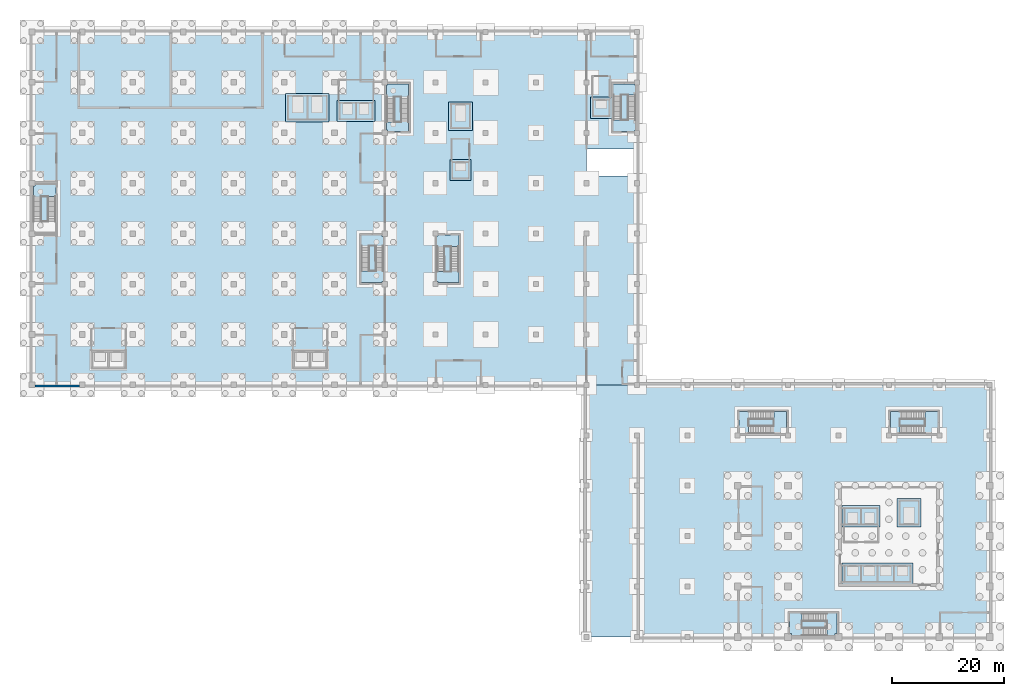
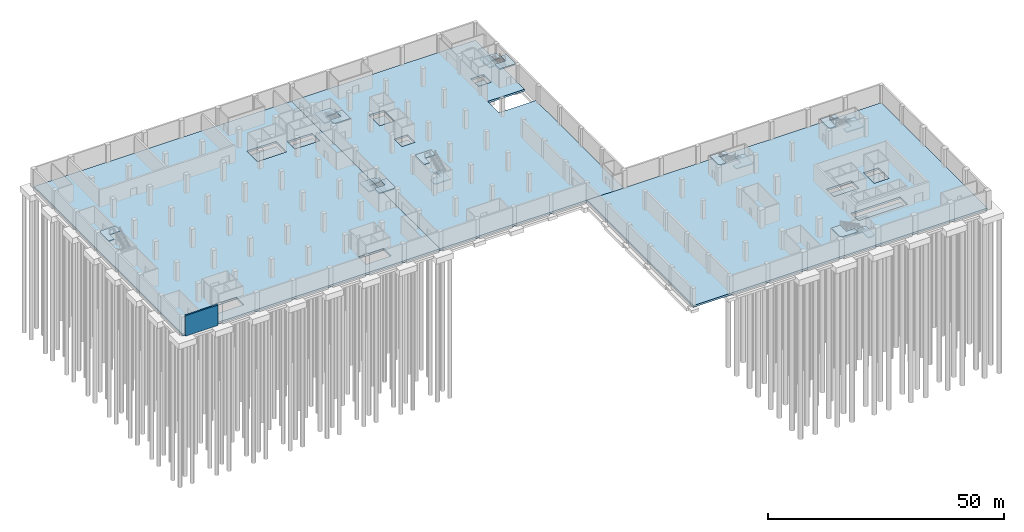
# One storey, part 5 of 17: 26 slabs, 1 wall, 8 elements without a shape of their own.
"""IFC4 building model written with IfcOpenShell, lengths in metres."""

import ifcopenshell
import ifcopenshell.guid

model = None  # the IFC model being written
_history = None  # IfcOwnerHistory: only IFC2X3 demands one
_inside = {}  # id of a spatial element -> (the spatial element, [elements in it])
_under = {}  # id of a project, library or spatial element -> (it, [spatial elements below it])
_declared = {}  # id of a project -> (the project, [libraries it declares])
_typed = {}  # id of a type object -> (the type object, [elements of that type])
_made_of = {}  # id of a material, layer set ... -> (it, [elements and type objects made of it])


def new_model(schema):
    """Start an empty IFC model of exactly this schema.

    Asked for "IFC4X3", IfcOpenShell would pick the latest addendum, in which some entities
    have other attributes; the version numbers below select the first issue.
    IFC2X3 requires an IfcOwnerHistory on every rooted entity: one is made here for all.
    """
    global model, _history
    if schema == "IFC4X3":
        model = ifcopenshell.file(schema_version=(4, 3, 0, 0))
    else:
        model = ifcopenshell.file(schema=schema)
    _inside.clear()
    _under.clear()
    _declared.clear()
    _typed.clear()
    _made_of.clear()
    _history = None
    if model.schema == "IFC2X3":
        org = make("IfcOrganization", Name="unknown")
        user = make(
            "IfcPersonAndOrganization",
            ThePerson=make("IfcPerson", FamilyName="unknown"),
            TheOrganization=org,
        )
        app = make(
            "IfcApplication",
            ApplicationDeveloper=org,
            Version="unknown",
            ApplicationFullName="unknown",
            ApplicationIdentifier="unknown",
        )
        _history = make(
            "IfcOwnerHistory",
            OwningUser=user,
            OwningApplication=app,
            ChangeAction="ADDED",
            CreationDate=0,
        )
    return model


def make(cls, **values):
    """One entity of the class cls with the attributes given. An attribute that is None is left unset."""
    return model.create_entity(
        cls, **{name: value for name, value in values.items() if value is not None}
    )


def rooted(cls, **values):
    """An entity with a GlobalId (a new one), such as an element, a storey or a relation."""
    return make(cls, GlobalId=ifcopenshell.guid.new(), OwnerHistory=_history, **values)


def si_unit(unit_type, name, prefix=None):
    """IfcSIUnit, for example si_unit("LENGTHUNIT", "METRE", prefix="MILLI")."""
    return make("IfcSIUnit", UnitType=unit_type, Prefix=prefix, Name=name)


def assignment(units):
    """IfcUnitAssignment: the units of a project."""
    return None if units is None else make("IfcUnitAssignment", Units=units)


def point(xyz):
    """IfcCartesianPoint."""
    return None if xyz is None else make("IfcCartesianPoint", Coordinates=xyz)


def direction(xyz):
    """IfcDirection."""
    return None if xyz is None else make("IfcDirection", DirectionRatios=xyz)


def frame(location, z_axis=None, x_axis=None):
    """IfcAxis2Placement3D, a coordinate frame: its origin and axes. An axis left out is left unset."""
    return make(
        "IfcAxis2Placement3D",
        Location=point(location),
        Axis=direction(z_axis),
        RefDirection=direction(x_axis),
    )


def frame_2d(location, x_axis=None):
    """IfcAxis2Placement2D, a coordinate frame in the plane: its origin and x axis."""
    return make(
        "IfcAxis2Placement2D", Location=point(location), RefDirection=direction(x_axis)
    )


def origin():
    """The frame at (0, 0, 0) with its axes left unset."""
    return frame((0.0, 0.0, 0.0))


def place(relative_to, where):
    """IfcLocalPlacement: puts the frame where relative to a parent placement (None: the world)."""
    return make(
        "IfcLocalPlacement", PlacementRelTo=relative_to, RelativePlacement=where
    )


def context(
    kind, dimensions, precision=None, world=None, true_north=None, identifier=None
):
    """IfcGeometricRepresentationContext, for example the 3D "Model" context."""
    return make(
        "IfcGeometricRepresentationContext",
        ContextIdentifier=identifier,
        ContextType=kind,
        CoordinateSpaceDimension=dimensions,
        Precision=precision,
        WorldCoordinateSystem=world,
        TrueNorth=true_north,
    )


def subcontext(parent, identifier, kind, view, scale=None):
    """IfcGeometricRepresentationSubContext, for example "Body" below "Model"."""
    return make(
        "IfcGeometricRepresentationSubContext",
        ContextIdentifier=identifier,
        ContextType=kind,
        ParentContext=parent,
        TargetScale=scale,
        TargetView=view,
    )


def project(units=None, contexts=None):
    """IfcProject with its units and contexts."""
    return rooted(
        "IfcProject",
        Name="project",
        RepresentationContexts=contexts,
        UnitsInContext=assignment(units),
    )


def spatial(cls, under=None, at=None, **own):
    """A site, building, storey or space (cls), placed at a placement, below another one or the project."""
    s = rooted(cls, ObjectPlacement=at, **own)
    if under is not None:
        _under.setdefault(under.id(), (under, []))[1].append(s)
    return s


def polyline(points):
    """IfcPolyline through the points."""
    return make("IfcPolyline", Points=[point(p) for p in points])


def profile(cls, at=None, kind="AREA", **sizes):
    """A parametric profile (cls). Its sizes go by their IFC names, for example OverallWidth=200.0."""
    return make(cls, ProfileType=kind, Position=at, **sizes)


def rectangle(**sizes):
    """IfcRectangleProfileDef."""
    return profile("IfcRectangleProfileDef", **sizes)


def outline(outer, holes=None, kind="AREA"):
    """IfcArbitraryClosedProfileDef: a profile drawn as a closed curve; with holes, ...WithVoids."""
    if holes is None:
        return make("IfcArbitraryClosedProfileDef", ProfileType=kind, OuterCurve=outer)
    return make(
        "IfcArbitraryProfileDefWithVoids",
        ProfileType=kind,
        OuterCurve=outer,
        InnerCurves=holes,
    )


def extrude(swept, where, along, depth):
    """IfcExtrudedAreaSolid: the profile swept, set in the frame where, extruded along a direction by depth."""
    return make(
        "IfcExtrudedAreaSolid",
        SweptArea=swept,
        Position=where,
        ExtrudedDirection=direction(along),
        Depth=depth,
    )


def shape(context_of_items, identifier, shape_type, items):
    """IfcShapeRepresentation: the items that make up one representation, for example the "Body"."""
    return make(
        "IfcShapeRepresentation",
        ContextOfItems=context_of_items,
        RepresentationIdentifier=identifier,
        RepresentationType=shape_type,
        Items=items,
    )


def material(Name=None, Category=None):
    """IfcMaterial."""
    return make("IfcMaterial", Name=Name, Category=Category)


def layer(
    of_material, thickness, ventilated=None, Name=None, Category=None, Priority=None
):
    """IfcMaterialLayer: one layer of a wall or slab, of a material (None: an air gap)."""
    return make(
        "IfcMaterialLayer",
        Material=of_material,
        LayerThickness=thickness,
        IsVentilated=ventilated,
        Name=Name,
        Category=Category,
        Priority=Priority,
    )


def layer_set(layers, Name=None):
    """IfcMaterialLayerSet."""
    return make("IfcMaterialLayerSet", MaterialLayers=layers, LayerSetName=Name)


def made_of(thing, what):
    """Note that an element or type object is made of a material, layer set ...; save() writes the relation."""
    if what is not None:
        _made_of.setdefault(what.id(), (what, []))[1].append(thing)
    return thing


def type_object(cls, material=None, **own):
    """A type object (cls), such as IfcWallType, which elements share."""
    return made_of(rooted(cls, **own), material)


def element(
    cls,
    number,
    at=None,
    inside=None,
    cuts=None,
    type_object=None,
    material=None,
    context=None,
    identifier="Body",
    shape_type=None,
    held_by="IfcProductDefinitionShape",
    body=None,
    shapes=None,
    **own,
):
    """One element of the class cls, such as IfcWall. Its Tag is "e" and its number.

    at: its placement. inside: the storey or other place that contains it. cuts: it is an
    opening in that element (IfcRelVoidsElement). A single representation is given by context,
    identifier, shape_type and body (its items); several are given by shapes. held_by: the class
    of the entity that holds the representations. save() writes the other relations.
    """
    e = rooted(cls, Tag="e%d" % number, ObjectPlacement=at, **own)
    if body is not None:
        shapes = [shape(context, identifier, shape_type, body)]
    if shapes is not None:
        e.Representation = make(held_by, Representations=shapes)
    if inside is not None:
        _inside.setdefault(inside.id(), (inside, []))[1].append(e)
    if cuts is not None:
        rooted(
            "IfcRelVoidsElement", RelatingBuildingElement=cuts, RelatedOpeningElement=e
        )
    if type_object is not None:
        _typed.setdefault(type_object.id(), (type_object, []))[1].append(e)
    return made_of(e, material)


def aggregate(whole, parts):
    """IfcRelAggregates: a whole, such as a stair, and the parts it consists of."""
    return rooted("IfcRelAggregates", RelatingObject=whole, RelatedObjects=parts)


def save(model, path):
    """Write the relations noted so far, then the file.

    IfcRelAggregates (storeys below a building ...), IfcRelContainedInSpatialStructure (elements
    in a storey), IfcRelDefinesByType, IfcRelAssociatesMaterial and IfcRelDeclares: one each for
    every whole, place, type object, material and project.
    """
    for whole, parts in _under.values():
        aggregate(whole, parts)
    for where, things in _inside.values():
        rooted(
            "IfcRelContainedInSpatialStructure",
            RelatedElements=things,
            RelatingStructure=where,
        )
    for kind, things in _typed.values():
        rooted("IfcRelDefinesByType", RelatedObjects=things, RelatingType=kind)
    for what, things in _made_of.values():
        rooted("IfcRelAssociatesMaterial", RelatedObjects=things, RelatingMaterial=what)
    for by, libraries in _declared.values():
        rooted("IfcRelDeclares", RelatingContext=by, RelatedDefinitions=libraries)
    model.write(path)


model = new_model("IFC4")

# Units and contexts
model_context = context("Model", 3, precision=1e-05, world=origin(), true_north=direction((0.0, 1.0)))
body_context = subcontext(model_context, "Body", "Model", "MODEL_VIEW")
ifc_project = project(units=[si_unit("LENGTHUNIT", "METRE"), si_unit("AREAUNIT", "SQUARE_METRE"), si_unit("VOLUMEUNIT", "CUBIC_METRE"), si_unit("PLANEANGLEUNIT", "RADIAN"), si_unit("MASSUNIT", "GRAM", prefix="KILO")], contexts=[model_context])

# Site, building, storey
site_placement = place(None, origin())
site = spatial("IfcSite", under=ifc_project, at=site_placement, CompositionType="ELEMENT")
building_placement = place(site_placement, origin())
building = spatial("IfcBuilding", under=site, at=building_placement, Name="Guidao Yard Department Store", CompositionType="ELEMENT")
storey_placement = place(building_placement, frame((0.0, 0.0, -9.89990234375)))
storey = spatial("IfcBuildingStorey", under=building, at=storey_placement, Name="B2", CompositionType="ELEMENT", Elevation=-9.89990234375)

# Slabs
ifc_material_1 = material(Name="Concrete C35", Category="concrete")
ifc_layer_1 = layer(ifc_material_1, 0.5)
ifc_layer_set_1 = layer_set([ifc_layer_1], Name="Base slab 500 C35")
slab_type_1 = type_object("IfcSlabType", Name="Base slab 500 C35", PredefinedType="BASESLAB", material=ifc_layer_set_1)
slab_1_placement = place(storey_placement, frame((0.0, 0.0, -0.5)))
element("IfcSlab", 1, at=slab_1_placement, inside=storey, type_object=slab_type_1, Name="Slab B2-H", PredefinedType="BASESLAB", context=body_context, shape_type="SweptSolid", body=[
    extrude(outline(polyline([(0.0, 108.0), (63.0, 108.0), (63.0, 45.0), (0.0, 45.0), (0.0, 108.0)]), holes=[polyline([(13.75, 47.89990234375), (16.699951171875, 47.89990234375), (16.699951171875, 51.10009765625), (13.75, 51.10009765625), (13.5, 51.10009765625), (10.550048828125, 51.10009765625), (10.550048828125, 47.89990234375), (13.5, 47.89990234375), (13.75, 47.89990234375)]), polyline([(49.75, 47.89990234375), (52.699951171875, 47.89990234375), (52.699951171875, 51.10009765625), (49.75, 51.10009765625), (49.5, 51.10009765625), (46.550048828125, 51.10009765625), (46.550048828125, 47.89990234375), (49.5, 47.89990234375), (49.75, 47.89990234375)]), polyline([(57.949951171875, 95.5), (57.699951171875, 95.5), (54.75, 95.5), (54.75, 92.300048828125), (57.699951171875, 92.300048828125), (57.949951171875, 92.300048828125), (60.89990234375, 92.300048828125), (60.89990234375, 95.5), (57.949951171875, 95.5)]), polyline([(49.050048828125, 92.25), (49.300048828125, 92.25), (52.75, 92.25), (52.75, 96.75), (49.300048828125, 96.75), (49.050048828125, 96.75), (45.60009765625, 96.75), (45.60009765625, 92.25), (49.050048828125, 92.25)])]), origin(), (0.0, 0.0, 1.0), 0.5),
])
slab_2_placement = place(storey_placement, frame((0.0, 0.0, -0.5)))
element("IfcSlab", 2, at=slab_2_placement, inside=storey, type_object=slab_type_1, Name="Slab B2-A", PredefinedType="BASESLAB", context=body_context, shape_type="SweptSolid", body=[
    extrude(outline(polyline([(108.0, 108.0), (108.0, 87.10009765625), (99.0, 87.10009765625), (99.0, 82.300048828125), (108.0, 82.300048828125), (108.0, 45.0), (63.0, 45.0), (63.0, 108.0), (108.0, 108.0)]), holes=[polyline([(74.89990234375, 84.949951171875), (74.89990234375, 81.75), (78.10009765625, 81.75), (78.10009765625, 84.949951171875), (74.89990234375, 84.949951171875)]), polyline([(78.35009765625, 90.75), (78.35009765625, 95.25), (74.64990234375, 95.25), (74.64990234375, 90.75), (78.35009765625, 90.75)]), polyline([(103.25, 92.89990234375), (103.25, 96.10009765625), (100.050048828125, 96.10009765625), (100.050048828125, 92.89990234375), (103.25, 92.89990234375)])]), origin(), (0.0, 0.0, 1.0), 0.5),
])
slab_3_placement = place(storey_placement, frame((0.0, 0.0, -0.5)))
element("IfcSlab", 3, at=slab_3_placement, inside=storey, type_object=slab_type_1, Name="Slab B2-T", PredefinedType="BASESLAB", context=body_context, shape_type="SweptSolid", body=[
    extrude(outline(polyline([(99.0, 45.0), (171.0, 45.0), (171.0, 0.0), (99.0, 0.0), (99.0, 45.0)]), holes=[polyline([(151.10009765625, 12.85009765625), (150.85009765625, 12.85009765625), (148.14990234375, 12.85009765625), (147.89990234375, 12.85009765625), (144.949951171875, 12.85009765625), (144.949951171875, 9.64990234375), (147.89990234375, 9.64990234375), (148.14990234375, 9.64990234375), (150.85009765625, 9.64990234375), (151.10009765625, 9.64990234375), (153.800048828125, 9.64990234375), (154.050048828125, 9.64990234375), (157.0, 9.64990234375), (157.0, 12.85009765625), (154.050048828125, 12.85009765625), (153.800048828125, 12.85009765625), (151.10009765625, 12.85009765625)]), polyline([(148.14990234375, 19.949951171875), (151.10009765625, 19.949951171875), (151.10009765625, 23.14990234375), (148.14990234375, 23.14990234375), (147.89990234375, 23.14990234375), (144.949951171875, 23.14990234375), (144.949951171875, 19.949951171875), (147.89990234375, 19.949951171875), (148.14990234375, 19.949951171875)]), polyline([(158.449951171875, 19.949951171875), (158.449951171875, 24.449951171875), (154.75, 24.449951171875), (154.75, 19.949951171875), (158.449951171875, 19.949951171875)])]), origin(), (0.0, 0.0, 1.0), 0.5),
])
ifc_material_2 = material(Name="Concrete C35", Category="concrete")
ifc_layer_2 = layer(ifc_material_2, 0.39990234375)
ifc_layer_set_2 = layer_set([ifc_layer_2], Name="Pit slab 400 C35")
slab_type_2 = type_object("IfcSlabType", Name="Pit slab 400 C35", PredefinedType="BASESLAB", material=ifc_layer_set_2)
slab_4_placement = place(storey_placement, frame((0.0, 0.0, -2.0)))
element("IfcSlab", 4, at=slab_4_placement, inside=storey, type_object=slab_type_2, Name="Pit slab HG1", PredefinedType="BASESLAB", context=body_context, shape_type="SweptSolid", body=[
    extrude(outline(polyline([(49.60009765625, 97.050048828125), (53.050048828125, 97.050048828125), (53.050048828125, 91.949951171875), (49.60009765625, 91.949951171875), (48.75, 91.949951171875), (45.300048828125, 91.949951171875), (45.300048828125, 97.050048828125), (48.75, 97.050048828125), (49.60009765625, 97.050048828125)])), origin(), (0.0, 0.0, 1.0), 0.39990234375),
])
slab_5_placement = place(storey_placement, frame((0.0, 0.0, -2.0)))
element("IfcSlab", 5, at=slab_5_placement, inside=storey, type_object=slab_type_2, Name="Pit slab HF1", PredefinedType="BASESLAB", context=body_context, shape_type="SweptSolid", body=[
    extrude(outline(polyline([(58.25, 95.800048828125), (61.199951171875, 95.800048828125), (61.199951171875, 92.0), (58.25, 92.0), (57.39990234375, 92.0), (54.449951171875, 92.0), (54.449951171875, 95.800048828125), (57.39990234375, 95.800048828125), (58.25, 95.800048828125)])), origin(), (0.0, 0.0, 1.0), 0.39990234375),
])
slab_6_placement = place(storey_placement, frame((0.0, 0.0, -2.0)))
element("IfcSlab", 6, at=slab_6_placement, inside=storey, type_object=slab_type_2, Name="Pit slab GG1", PredefinedType="BASESLAB", context=body_context, shape_type="SweptSolid", body=[
    extrude(outline(polyline([(74.35009765625, 90.449951171875), (74.35009765625, 95.550048828125), (78.64990234375, 95.550048828125), (78.64990234375, 90.449951171875), (74.35009765625, 90.449951171875)])), origin(), (0.0, 0.0, 1.0), 0.39990234375),
])
slab_7_placement = place(storey_placement, frame((0.0, 0.0, -2.0)))
element("IfcSlab", 7, at=slab_7_placement, inside=storey, type_object=slab_type_2, Name="Pit slab GL1", PredefinedType="BASESLAB", context=body_context, shape_type="SweptSolid", body=[
    extrude(outline(polyline([(78.39990234375, 81.449951171875), (74.60009765625, 81.449951171875), (74.60009765625, 85.25), (78.39990234375, 85.25), (78.39990234375, 81.449951171875)])), origin(), (0.0, 0.0, 1.0), 0.39990234375),
])
slab_8_placement = place(storey_placement, frame((0.0, 0.0, -2.0)))
element("IfcSlab", 8, at=slab_8_placement, inside=storey, type_object=slab_type_2, Name="Pit slab GL2", PredefinedType="BASESLAB", context=body_context, shape_type="SweptSolid", body=[
    extrude(outline(polyline([(99.75, 92.60009765625), (99.75, 96.39990234375), (103.550048828125, 96.39990234375), (103.550048828125, 92.60009765625), (99.75, 92.60009765625)])), origin(), (0.0, 0.0, 1.0), 0.39990234375),
])
slab_9_placement = place(storey_placement, frame((0.0, 0.0, -2.0)))
element("IfcSlab", 9, at=slab_9_placement, inside=storey, type_object=slab_type_2, Name="Pit slab OL1", PredefinedType="BASESLAB", context=body_context, shape_type="SweptSolid", body=[
    extrude(outline(polyline([(147.60009765625, 13.14990234375), (148.449951171875, 13.14990234375), (150.550048828125, 13.14990234375), (151.39990234375, 13.14990234375), (153.5, 13.14990234375), (154.35009765625, 13.14990234375), (157.300048828125, 13.14990234375), (157.300048828125, 9.35009765625), (154.35009765625, 9.35009765625), (153.5, 9.35009765625), (151.39990234375, 9.35009765625), (150.550048828125, 9.35009765625), (148.449951171875, 9.35009765625), (147.60009765625, 9.35009765625), (144.64990234375, 9.35009765625), (144.64990234375, 13.14990234375), (147.60009765625, 13.14990234375)])), origin(), (0.0, 0.0, 1.0), 0.39990234375),
])
slab_10_placement = place(storey_placement, frame((0.0, 0.0, -2.0)))
element("IfcSlab", 10, at=slab_10_placement, inside=storey, type_object=slab_type_2, Name="Pit slab OF1", PredefinedType="BASESLAB", context=body_context, shape_type="SweptSolid", body=[
    extrude(outline(polyline([(147.60009765625, 23.449951171875), (148.449951171875, 23.449951171875), (151.39990234375, 23.449951171875), (151.39990234375, 19.64990234375), (148.449951171875, 19.64990234375), (147.60009765625, 19.64990234375), (144.64990234375, 19.64990234375), (144.64990234375, 23.449951171875), (147.60009765625, 23.449951171875)])), origin(), (0.0, 0.0, 1.0), 0.39990234375),
])
slab_11_placement = place(storey_placement, frame((0.0, 0.0, -2.0)))
element("IfcSlab", 11, at=slab_11_placement, inside=storey, type_object=slab_type_2, Name="Pit slab OS1", PredefinedType="BASESLAB", context=body_context, shape_type="SweptSolid", body=[
    extrude(outline(polyline([(158.75, 19.64990234375), (154.449951171875, 19.64990234375), (154.449951171875, 24.75), (158.75, 24.75), (158.75, 19.64990234375)])), origin(), (0.0, 0.0, 1.0), 0.39990234375),
])

# Stair, slabs
ifc_material_3 = material(Name="Concrete C35", Category="concrete")
stair_type = type_object("IfcStairType", Name="Stair half-turn two-flight 1400 wide 4.8 m rise", PredefinedType="HALF_TURN_STAIR", material=ifc_material_3)
stair_1_placement = place(storey_placement, origin())
stair_1 = element("IfcStair", 12, at=stair_1_placement, inside=storey, type_object=stair_type, Name="Basement stair G1 B2 to B1", PredefinedType="HALF_TURN_STAIR")
ifc_material_4 = material(Name="Concrete C35", Category="concrete")
ifc_layer_3 = layer(ifc_material_4, 0.25)
ifc_layer_set_3 = layer_set([ifc_layer_3], Name="Stair landing RC 250 C35")
slab_type_3 = type_object("IfcSlabType", Name="Stair landing RC 250 C35", PredefinedType="LANDING", material=ifc_layer_set_3)
slab_12_placement = place(storey_placement, frame((0.0, 0.0, 2.14990234375)))
slab_12 = element("IfcSlab", 13, at=slab_12_placement, type_object=slab_type_3, Name="BSG1-B2 landing 1", PredefinedType="LANDING", context=body_context, shape_type="SweptSolid", body=[
    extrude(outline(polyline([(72.449951171875, 63.25), (72.449951171875, 63.449951171875), (72.25, 63.449951171875), (72.25, 65.199951171875), (72.25, 65.2099609375), (73.64990234375, 65.2099609375), (73.64990234375, 65.199951171875), (74.800048828125, 65.199951171875), (74.800048828125, 67.14990234375), (76.199951171875, 67.14990234375), (76.199951171875, 65.199951171875), (76.25, 65.199951171875), (76.25, 63.25), (72.449951171875, 63.25)])), origin(), (0.0, 0.0, 1.0), 0.25),
])
slab_13_placement = place(storey_placement, frame((0.0, 0.0, 4.5498046875)))
slab_13 = element("IfcSlab", 14, at=slab_13_placement, type_object=slab_type_3, Name="BSG1-B2 landing 2", PredefinedType="LANDING", context=body_context, shape_type="SweptSolid", body=[
    extrude(outline(polyline([(72.25, 69.699951171875), (72.25, 71.550048828125), (72.449951171875, 71.550048828125), (72.449951171875, 71.75), (74.800048828125, 71.75), (76.25, 71.75), (76.25, 69.68994140625), (74.800048828125, 69.68994140625), (74.800048828125, 69.699951171875), (73.64990234375, 69.699951171875), (73.64990234375, 67.75), (72.25, 67.75), (72.25, 69.699951171875)])), origin(), (0.0, 0.0, 1.0), 0.25),
])
aggregate(stair_1, [slab_12, slab_13])

stair_2_placement = place(storey_placement, origin())
stair_2 = element("IfcStair", 15, at=stair_2_placement, inside=storey, type_object=stair_type, Name="Basement stair G2 B2 to B1", PredefinedType="HALF_TURN_STAIR")
slab_14_placement = place(storey_placement, frame((0.0, 0.0, 2.14990234375)))
slab_14 = element("IfcSlab", 16, at=slab_14_placement, type_object=slab_type_3, Name="BSG2-B2 landing 1", PredefinedType="LANDING", context=body_context, shape_type="SweptSolid", body=[
    extrude(outline(polyline([(103.800048828125, 96.800048828125), (103.75, 96.800048828125), (103.75, 98.75), (107.550048828125, 98.75), (107.550048828125, 98.550048828125), (107.75, 98.550048828125), (107.75, 96.800048828125), (107.75, 96.7900390625), (106.35009765625, 96.7900390625), (106.35009765625, 96.800048828125), (105.199951171875, 96.800048828125), (105.199951171875, 94.85009765625), (103.800048828125, 94.85009765625), (103.800048828125, 96.800048828125)])), origin(), (0.0, 0.0, 1.0), 0.25),
])
slab_15_placement = place(storey_placement, frame((0.0, 0.0, 4.5498046875)))
slab_15 = element("IfcSlab", 17, at=slab_15_placement, type_object=slab_type_3, Name="BSG2-B2 landing 2", PredefinedType="LANDING", context=body_context, shape_type="SweptSolid", body=[
    extrude(outline(polyline([(103.75, 90.25), (103.75, 92.31005859375), (105.199951171875, 92.31005859375), (105.199951171875, 92.300048828125), (106.35009765625, 92.300048828125), (106.35009765625, 94.25), (107.75, 94.25), (107.75, 92.300048828125), (107.75, 90.449951171875), (107.550048828125, 90.449951171875), (107.550048828125, 90.25), (105.199951171875, 90.25), (103.75, 90.25)])), origin(), (0.0, 0.0, 1.0), 0.25),
])
aggregate(stair_2, [slab_14, slab_15])

# Stair, slab
stair_3_placement = place(storey_placement, origin())
stair_3 = element("IfcStair", 18, at=stair_3_placement, inside=storey, type_object=stair_type, Name="Basement stair H1 B2 to B1", PredefinedType="HALF_TURN_STAIR")
slab_16_placement = place(storey_placement, frame((0.0, 0.0, 4.5498046875)))
slab_16 = element("IfcSlab", 19, at=slab_16_placement, type_object=slab_type_3, Name="BSH1-B2 landing 2", PredefinedType="LANDING", context=body_context, shape_type="SweptSolid", body=[
    extrude(outline(polyline([(0.25, 78.64990234375), (0.25, 80.5), (0.5, 80.5), (0.5, 80.75), (2.800048828125, 80.75), (4.25, 80.75), (4.25, 78.639892578125), (2.800048828125, 78.639892578125), (2.800048828125, 78.64990234375), (1.64990234375, 78.64990234375), (1.64990234375, 76.699951171875), (0.25, 76.699951171875), (0.25, 78.64990234375)])), origin(), (0.0, 0.0, 1.0), 0.25),
])
aggregate(stair_3, [slab_16])

# Stair, slabs
stair_4_placement = place(storey_placement, origin())
stair_4 = element("IfcStair", 20, at=stair_4_placement, inside=storey, type_object=stair_type, Name="Basement stair H2 B2 to B1", PredefinedType="HALF_TURN_STAIR")
slab_17_placement = place(storey_placement, frame((0.0, 0.0, 2.14990234375)))
slab_17 = element("IfcSlab", 21, at=slab_17_placement, type_object=slab_type_3, Name="BSH2-B2 landing 1", PredefinedType="LANDING", context=body_context, shape_type="SweptSolid", body=[
    extrude(outline(polyline([(63.300048828125, 96.449951171875), (63.25, 96.449951171875), (63.25, 98.5), (63.5, 98.5), (63.5, 98.75), (67.25, 98.75), (67.25, 96.449951171875), (67.25, 96.43994140625), (65.85009765625, 96.43994140625), (65.85009765625, 96.449951171875), (64.699951171875, 96.449951171875), (64.699951171875, 94.5), (63.300048828125, 94.5), (63.300048828125, 96.449951171875)])), origin(), (0.0, 0.0, 1.0), 0.25),
])
slab_18_placement = place(storey_placement, frame((0.0, 0.0, 4.5498046875)))
slab_18 = element("IfcSlab", 22, at=slab_18_placement, type_object=slab_type_3, Name="BSH2-B2 landing 2", PredefinedType="LANDING", context=body_context, shape_type="SweptSolid", body=[
    extrude(outline(polyline([(63.5, 90.25), (63.5, 90.5), (63.25, 90.5), (63.25, 91.9599609375), (64.699951171875, 91.9599609375), (64.699951171875, 91.949951171875), (65.85009765625, 91.949951171875), (65.85009765625, 93.89990234375), (67.25, 93.89990234375), (67.25, 91.949951171875), (67.25, 90.25), (64.699951171875, 90.25), (63.5, 90.25)])), origin(), (0.0, 0.0, 1.0), 0.25),
])
aggregate(stair_4, [slab_17, slab_18])

stair_5_placement = place(storey_placement, origin())
stair_5 = element("IfcStair", 23, at=stair_5_placement, inside=storey, type_object=stair_type, Name="Basement stair H3 B2 to B1", PredefinedType="HALF_TURN_STAIR")
slab_19_placement = place(storey_placement, frame((0.0, 0.0, 2.14990234375)))
slab_19 = element("IfcSlab", 24, at=slab_19_placement, type_object=slab_type_3, Name="BSH3-B2 landing 1", PredefinedType="LANDING", context=body_context, shape_type="SweptSolid", body=[
    extrude(outline(polyline([(58.800048828125, 69.85009765625), (58.75, 69.85009765625), (58.75, 71.75), (62.5, 71.75), (62.5, 71.5), (62.75, 71.5), (62.75, 69.85009765625), (62.75, 69.840087890625), (61.35009765625, 69.840087890625), (61.35009765625, 69.85009765625), (60.199951171875, 69.85009765625), (60.199951171875, 67.89990234375), (58.800048828125, 67.89990234375), (58.800048828125, 69.85009765625)])), origin(), (0.0, 0.0, 1.0), 0.25),
])
slab_20_placement = place(storey_placement, frame((0.0, 0.0, 4.5498046875)))
slab_20 = element("IfcSlab", 25, at=slab_20_placement, type_object=slab_type_3, Name="BSH3-B2 landing 2", PredefinedType="LANDING", context=body_context, shape_type="SweptSolid", body=[
    extrude(outline(polyline([(58.75, 63.25), (58.75, 65.360107421875), (60.199951171875, 65.360107421875), (60.199951171875, 65.35009765625), (61.35009765625, 65.35009765625), (61.35009765625, 67.300048828125), (62.75, 67.300048828125), (62.75, 65.35009765625), (62.75, 63.5), (62.5, 63.5), (62.5, 63.25), (60.199951171875, 63.25), (58.75, 63.25)])), origin(), (0.0, 0.0, 1.0), 0.25),
])
aggregate(stair_5, [slab_19, slab_20])

stair_6_placement = place(storey_placement, origin())
stair_6 = element("IfcStair", 26, at=stair_6_placement, inside=storey, type_object=stair_type, Name="Basement stair O1 B2 to B1", PredefinedType="HALF_TURN_STAIR")
slab_21_placement = place(storey_placement, frame((0.0, 0.0, 2.14990234375)))
slab_21 = element("IfcSlab", 27, at=slab_21_placement, type_object=slab_type_3, Name="BSO1-B2 landing 1", PredefinedType="LANDING", context=body_context, shape_type="SweptSolid", body=[
    extrude(outline(polyline([(141.949951171875, 1.64990234375), (141.949951171875, 2.800048828125), (140.0, 2.800048828125), (140.0, 4.199951171875), (141.949951171875, 4.199951171875), (141.949951171875, 4.25), (143.75, 4.25), (143.75, 0.60009765625), (143.39990234375, 0.60009765625), (143.39990234375, 0.25), (141.949951171875, 0.25), (141.93994140625, 0.25), (141.93994140625, 1.64990234375), (141.949951171875, 1.64990234375)])), origin(), (0.0, 0.0, 1.0), 0.25),
])
slab_22_placement = place(storey_placement, frame((0.0, 0.0, 4.5498046875)))
slab_22 = element("IfcSlab", 28, at=slab_22_placement, type_object=slab_type_3, Name="BSO1-B2 landing 2", PredefinedType="LANDING", context=body_context, shape_type="SweptSolid", body=[
    extrude(outline(polyline([(137.449951171875, 0.25), (135.60009765625, 0.25), (135.60009765625, 0.60009765625), (135.25, 0.60009765625), (135.25, 2.800048828125), (135.25, 4.25), (137.4599609375, 4.25), (137.4599609375, 2.800048828125), (137.449951171875, 2.800048828125), (137.449951171875, 1.64990234375), (139.39990234375, 1.64990234375), (139.39990234375, 0.25), (137.449951171875, 0.25)])), origin(), (0.0, 0.0, 1.0), 0.25),
])
aggregate(stair_6, [slab_21, slab_22])

stair_7_placement = place(storey_placement, origin())
stair_7 = element("IfcStair", 29, at=stair_7_placement, inside=storey, type_object=stair_type, Name="Basement stair Y1 B2 to B1", PredefinedType="HALF_TURN_STAIR")
slab_23_placement = place(storey_placement, frame((0.0, 0.0, 2.14990234375)))
slab_23 = element("IfcSlab", 30, at=slab_23_placement, type_object=slab_type_3, Name="BSY1-B2 landing 1", PredefinedType="LANDING", context=body_context, shape_type="SweptSolid", body=[
    extrude(outline(polyline([(132.449951171875, 37.699951171875), (132.449951171875, 38.85009765625), (132.43994140625, 38.85009765625), (132.43994140625, 40.25), (132.449951171875, 40.25), (134.75, 40.25), (134.75, 36.449951171875), (134.550048828125, 36.449951171875), (134.550048828125, 36.25), (132.449951171875, 36.25), (132.449951171875, 36.300048828125), (130.5, 36.300048828125), (130.5, 37.699951171875), (132.449951171875, 37.699951171875)])), origin(), (0.0, 0.0, 1.0), 0.25),
])
slab_24_placement = place(storey_placement, frame((0.0, 0.0, 4.5498046875)))
slab_24 = element("IfcSlab", 31, at=slab_24_placement, type_object=slab_type_3, Name="BSY1-B2 landing 2", PredefinedType="LANDING", context=body_context, shape_type="SweptSolid", body=[
    extrude(outline(polyline([(126.449951171875, 36.25), (126.449951171875, 36.449951171875), (126.25, 36.449951171875), (126.25, 37.699951171875), (126.25, 40.25), (127.949951171875, 40.25), (129.89990234375, 40.25), (129.89990234375, 38.85009765625), (127.949951171875, 38.85009765625), (127.949951171875, 37.699951171875), (127.9599609375, 37.699951171875), (127.9599609375, 36.25), (126.449951171875, 36.25)])), origin(), (0.0, 0.0, 1.0), 0.25),
])
aggregate(stair_7, [slab_23, slab_24])

stair_8_placement = place(storey_placement, origin())
stair_8 = element("IfcStair", 32, at=stair_8_placement, inside=storey, type_object=stair_type, Name="Basement stair Y2 B2 to B1", PredefinedType="HALF_TURN_STAIR")
slab_25_placement = place(storey_placement, frame((0.0, 0.0, 2.14990234375)))
slab_25 = element("IfcSlab", 33, at=slab_25_placement, type_object=slab_type_3, Name="BSY2-B2 landing 1", PredefinedType="LANDING", context=body_context, shape_type="SweptSolid", body=[
    extrude(outline(polyline([(159.449951171875, 37.699951171875), (159.449951171875, 38.85009765625), (159.43994140625, 38.85009765625), (159.43994140625, 40.25), (159.449951171875, 40.25), (161.75, 40.25), (161.75, 36.449951171875), (161.550048828125, 36.449951171875), (161.550048828125, 36.25), (159.449951171875, 36.25), (159.449951171875, 36.300048828125), (157.5, 36.300048828125), (157.5, 37.699951171875), (159.449951171875, 37.699951171875)])), origin(), (0.0, 0.0, 1.0), 0.25),
])
slab_26_placement = place(storey_placement, frame((0.0, 0.0, 4.5498046875)))
slab_26 = element("IfcSlab", 34, at=slab_26_placement, type_object=slab_type_3, Name="BSY2-B2 landing 2", PredefinedType="LANDING", context=body_context, shape_type="SweptSolid", body=[
    extrude(outline(polyline([(153.449951171875, 36.25), (153.449951171875, 36.449951171875), (153.25, 36.449951171875), (153.25, 37.699951171875), (153.25, 40.25), (154.949951171875, 40.25), (156.89990234375, 40.25), (156.89990234375, 38.85009765625), (154.949951171875, 38.85009765625), (154.949951171875, 37.699951171875), (154.9599609375, 37.699951171875), (154.9599609375, 36.25), (153.449951171875, 36.25)])), origin(), (0.0, 0.0, 1.0), 0.25),
])
aggregate(stair_8, [slab_25, slab_26])

# Wall
ifc_material_5 = material(Name="Concrete C40", Category="concrete")
ifc_layer_4 = layer(ifc_material_5, 0.39990234375)
ifc_layer_set_4 = layer_set([ifc_layer_4], Name="Retaining wall 400 C40")
wall_type = type_object("IfcWallType", Name="Retaining wall 400 C40", PredefinedType="SOLIDWALL", material=ifc_layer_set_4)
wall_placement = place(storey_placement, frame((0.5, 44.800048828125, -0.5), z_axis=(0.0, 0.0, 1.0), x_axis=(1.0, 0.0, 0.0)))
element("IfcWall", 35, at=wall_placement, inside=storey, type_object=wall_type, Name="Retaining wall B2-018", PredefinedType="SOLIDWALL", context=body_context, shape_type="SweptSolid", body=[
    extrude(rectangle(XDim=8.0, YDim=0.39990234375, at=frame_2d((4.0, 0.0))), origin(), (0.0, 0.0, 1.0), 5.2998046875),
])

save(model, "model.ifc")
